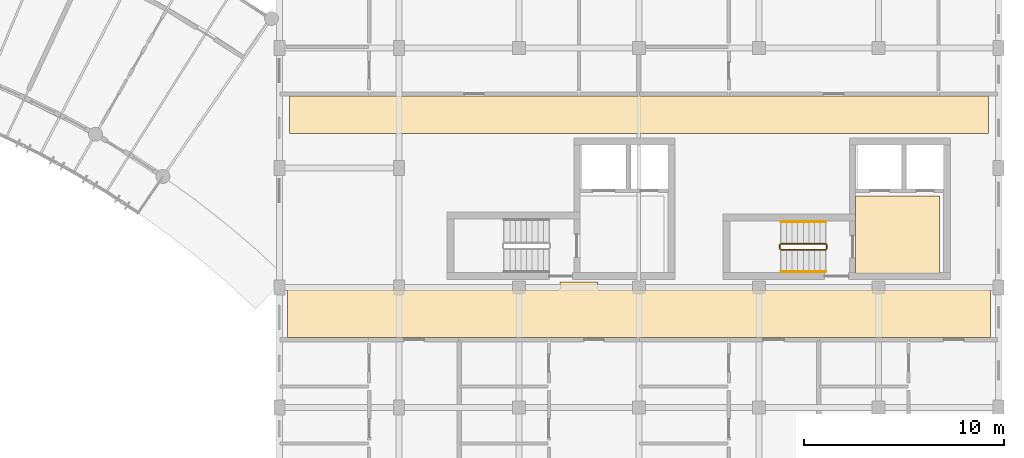
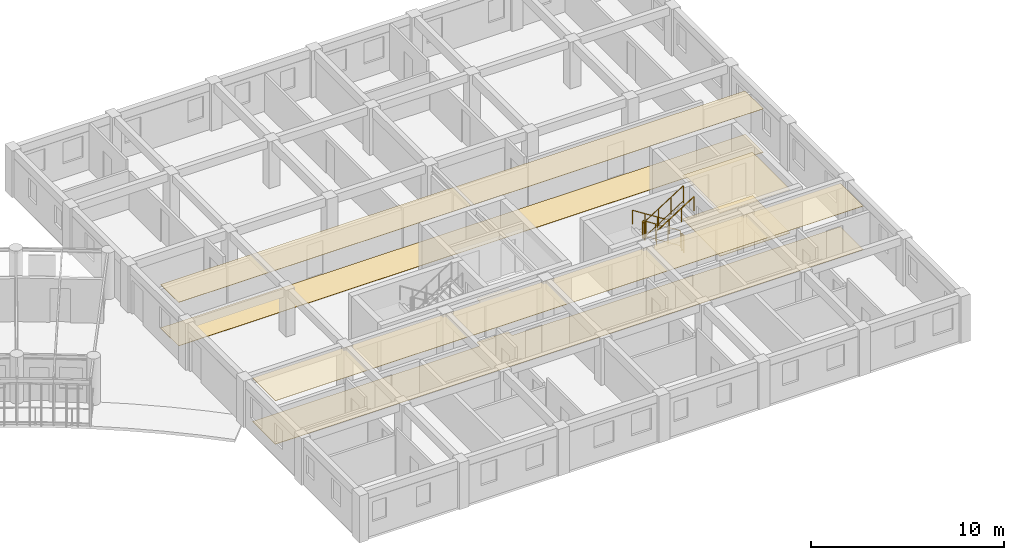
# One storey, part 122 of 123: 6 coverings, 6 railings.
"""IFC4 building model written with IfcOpenShell, lengths in metres."""

from ifc_helpers import new_model, si_unit, direction, frame, origin, origin_2d, place, context, subcontext, project, spatial, polyline, circle, outline, extrude, material, layer, layer_set, type_object, element, save


model = new_model("IFC4")

# Units and contexts
model_context = context("Model", 3, precision=1e-05, world=origin(), true_north=direction((0.0, 1.0)))
body_context = subcontext(model_context, "Body", "Model", "MODEL_VIEW")
ifc_project = project(units=[si_unit("LENGTHUNIT", "METRE"), si_unit("AREAUNIT", "SQUARE_METRE"), si_unit("VOLUMEUNIT", "CUBIC_METRE"), si_unit("PLANEANGLEUNIT", "RADIAN"), si_unit("MASSUNIT", "GRAM", prefix="KILO"), si_unit("POWERUNIT", "WATT"), si_unit("THERMODYNAMICTEMPERATUREUNIT", "KELVIN")], contexts=[model_context])

# Site, building, storey
site_placement = place(None, origin())
site = spatial("IfcSite", under=ifc_project, at=site_placement, CompositionType="ELEMENT")
building_placement = place(site_placement, origin())
building = spatial("IfcBuilding", under=site, at=building_placement, Name="Ruvembo Vaulted Housing Court", CompositionType="ELEMENT")
storey_placement = place(building_placement, frame((0.0, 0.0, 7.699951171875)))
storey = spatial("IfcBuildingStorey", under=building, at=storey_placement, Name="L02", CompositionType="ELEMENT", Elevation=7.699951171875)

# Coverings
ifc_material_1 = material(Name="Perforated Mineral-Fibre Acoustic Tile", Category="gypsum")
ifc_layer_1 = layer(ifc_material_1, 0.02001953125, Name="Perforated Mineral-Fibre Acoustic Tile")
ifc_layer_set_1 = layer_set([ifc_layer_1], Name="Perforated Mineral-Fibre Acoustic Tile")
covering_type_1 = type_object("IfcCoveringType", Name="COV-CEIL-ACOUST", PredefinedType="CEILING", material=ifc_layer_set_1)
covering_1_placement = place(storey_placement, frame((0.0, 0.0, 2.75)))
element("IfcCovering", 1, at=covering_1_placement, inside=storey, type_object=covering_type_1, Name="Protected Core Lobby D2 Ceiling", PredefinedType="CEILING", context=body_context, shape_type="SweptSolid", body=[
    extrude(outline(polyline([(183.050048828125, 88.60009765625), (178.85009765625, 88.60009765625), (178.85009765625, 84.699951171875), (183.050048828125, 84.699951171875), (183.050048828125, 88.60009765625)])), origin(), (0.0, 0.0, 1.0), 0.02001953125),
])
covering_2_placement = place(storey_placement, frame((0.0, 0.0, 2.75)))
element("IfcCovering", 2, at=covering_2_placement, inside=storey, type_object=covering_type_1, Name="Block D L02 Corridor Ceiling", PredefinedType="CEILING", context=body_context, shape_type="SweptSolid", body=[
    extrude(outline(polyline([(185.590087890625, 81.510009765625), (185.590087890625, 83.889892578125), (166.050048828125, 83.889892578125), (166.039306640625, 83.890380859375), (166.028564453125, 83.89208984375), (166.01806640625, 83.894775390625), (166.0078125, 83.8984375), (165.998046875, 83.903076171875), (165.989013671875, 83.908447265625), (165.980224609375, 83.9150390625), (165.97216796875, 83.922119140625), (165.965087890625, 83.93017578125), (165.95849609375, 83.93896484375), (165.952880859375, 83.947998046875), (165.948486328125, 83.9580078125), (165.944580078125, 83.968017578125), (165.942138671875, 83.978515625), (165.9404296875, 83.9892578125), (165.93994140625, 84.0), (165.93994140625, 84.2900390625), (164.06005859375, 84.2900390625), (164.06005859375, 84.0), (164.0595703125, 83.9892578125), (164.057861328125, 83.978515625), (164.055419921875, 83.968017578125), (164.051513671875, 83.9580078125), (164.047119140625, 83.947998046875), (164.04150390625, 83.93896484375), (164.034912109375, 83.93017578125), (164.02783203125, 83.922119140625), (164.019775390625, 83.9150390625), (164.010986328125, 83.908447265625), (164.001953125, 83.903076171875), (163.9921875, 83.8984375), (163.98193359375, 83.894775390625), (163.971435546875, 83.89208984375), (163.960693359375, 83.890380859375), (163.949951171875, 83.889892578125), (150.409912109375, 83.889892578125), (150.409912109375, 81.510009765625), (185.590087890625, 81.510009765625)])), origin(), (0.0, 0.0, 1.0), 0.02001953125),
])
covering_3_placement = place(storey_placement, frame((0.0, 0.0, 2.75)))
element("IfcCovering", 3, at=covering_3_placement, inside=storey, type_object=covering_type_1, Name="Block D L02 North Sub-Corridor Ceiling", PredefinedType="CEILING", context=body_context, shape_type="SweptSolid", body=[
    extrude(outline(polyline([(150.510009765625, 91.7099609375), (185.489990234375, 91.7099609375), (185.489990234375, 93.590087890625), (150.510009765625, 93.590087890625), (150.510009765625, 91.7099609375)])), origin(), (0.0, 0.0, 1.0), 0.02001953125),
])
ifc_material_2 = material(Name="Polished Cement-Aggregate Terrazzo", Category="stone")
ifc_layer_2 = layer(ifc_material_2, 0.02197265625, Name="Polished Cement-Aggregate Terrazzo")
ifc_layer_set_2 = layer_set([ifc_layer_2], Name="Polished Cement-Aggregate Terrazzo")
covering_type_2 = type_object("IfcCoveringType", Name="COV-FLR-CERAMIC", PredefinedType="FLOORING", material=ifc_layer_set_2)
covering_4_placement = place(storey_placement, origin())
element("IfcCovering", 4, at=covering_4_placement, inside=storey, type_object=covering_type_2, Name="Protected Core Lobby D2 Flooring", PredefinedType="FLOORING", context=body_context, shape_type="SweptSolid", body=[
    extrude(outline(polyline([(183.050048828125, 88.60009765625), (178.85009765625, 88.60009765625), (178.85009765625, 84.699951171875), (183.050048828125, 84.699951171875), (183.050048828125, 88.60009765625)])), origin(), (0.0, 0.0, 1.0), 0.02197265625),
])
covering_5_placement = place(storey_placement, origin())
element("IfcCovering", 5, at=covering_5_placement, inside=storey, type_object=covering_type_2, Name="Block D L02 Corridor Flooring", PredefinedType="FLOORING", context=body_context, shape_type="SweptSolid", body=[
    extrude(outline(polyline([(185.590087890625, 81.510009765625), (185.590087890625, 83.889892578125), (166.050048828125, 83.889892578125), (166.039306640625, 83.890380859375), (166.028564453125, 83.89208984375), (166.01806640625, 83.894775390625), (166.0078125, 83.8984375), (165.998046875, 83.903076171875), (165.989013671875, 83.908447265625), (165.980224609375, 83.9150390625), (165.97216796875, 83.922119140625), (165.965087890625, 83.93017578125), (165.95849609375, 83.93896484375), (165.952880859375, 83.947998046875), (165.948486328125, 83.9580078125), (165.944580078125, 83.968017578125), (165.942138671875, 83.978515625), (165.9404296875, 83.9892578125), (165.93994140625, 84.0), (165.93994140625, 84.2900390625), (164.06005859375, 84.2900390625), (164.06005859375, 84.0), (164.0595703125, 83.9892578125), (164.057861328125, 83.978515625), (164.055419921875, 83.968017578125), (164.051513671875, 83.9580078125), (164.047119140625, 83.947998046875), (164.04150390625, 83.93896484375), (164.034912109375, 83.93017578125), (164.02783203125, 83.922119140625), (164.019775390625, 83.9150390625), (164.010986328125, 83.908447265625), (164.001953125, 83.903076171875), (163.9921875, 83.8984375), (163.98193359375, 83.894775390625), (163.971435546875, 83.89208984375), (163.960693359375, 83.890380859375), (163.949951171875, 83.889892578125), (150.409912109375, 83.889892578125), (150.409912109375, 81.510009765625), (185.590087890625, 81.510009765625)])), origin(), (0.0, 0.0, 1.0), 0.02197265625),
])
covering_6_placement = place(storey_placement, origin())
element("IfcCovering", 6, at=covering_6_placement, inside=storey, type_object=covering_type_2, Name="Block D L02 North Sub-Corridor Flooring", PredefinedType="FLOORING", context=body_context, shape_type="SweptSolid", body=[
    extrude(outline(polyline([(150.510009765625, 91.7099609375), (185.489990234375, 91.7099609375), (185.489990234375, 93.590087890625), (150.510009765625, 93.590087890625), (150.510009765625, 91.7099609375)])), origin(), (0.0, 0.0, 1.0), 0.02197265625),
])

# Railings
ifc_material_3 = material(Name="Painted Galvanised Steel S275", Category="steel")
ifc_layer_3 = layer(ifc_material_3, 0.06005859375, Name="Painted Galvanised Steel S275")
ifc_layer_set_3 = layer_set([ifc_layer_3], Name="Painted Galvanised Steel S275")
railing_type_1 = type_object("IfcRailingType", Name="RL-STAIR-GR1100", PredefinedType="GUARDRAIL", material=ifc_layer_set_3)
railing_1_placement = place(storey_placement, frame((177.35009765625, 86.199951171875, 0.177734375)))
element("IfcRailing", 7, at=railing_1_placement, inside=storey, type_object=railing_type_1, Name="L02 ST-D2 stair guard 1", PredefinedType="GUARDRAIL", context=body_context, shape_type="SweptSolid", body=[
    extrude(circle(Radius=0.02392578125, at=origin_2d()), frame((0.0, 0.0, 1.076171875), z_axis=(-0.84418770128, 0.0, 0.536047689118), x_axis=(0.0, -1.0, 0.0)), (0.0, 0.0, 1.0), 2.6533203125),
    extrude(circle(Radius=0.01806640625, at=origin_2d()), frame((0.0, 0.0, 0.1201171875), z_axis=(-0.84418770128, 0.0, 0.536047689118), x_axis=(0.0, -1.0, 0.0)), (0.0, 0.0, 1.0), 2.6533203125),
    extrude(circle(Radius=0.02099609375, at=origin_2d()), origin(), (0.0, 0.0, 1.0), 1.052001953125),
    extrude(circle(Radius=0.02099609375, at=origin_2d()), frame((-0.74658203125, 0.0, 0.47412109375)), (0.0, 0.0, 1.0), 1.052001953125),
    extrude(circle(Radius=0.02099609375, at=origin_2d()), frame((-1.493408203125, 0.0, 0.9482421875)), (0.0, 0.0, 1.0), 1.052001953125),
    extrude(circle(Radius=0.02099609375, at=origin_2d()), frame((-2.239990234375, 0.0, 1.42236328125)), (0.0, 0.0, 1.0), 1.052001953125),
])
railing_2_placement = place(storey_placement, frame((175.06005859375, 86.14990234375, 1.60009765625)))
element("IfcRailing", 8, at=railing_2_placement, inside=storey, type_object=railing_type_1, Name="L02 ST-D2 stair guard 2", PredefinedType="GUARDRAIL", context=body_context, shape_type="SweptSolid", body=[
    extrude(circle(Radius=0.02392578125, at=origin_2d()), frame((0.0, 0.0, 1.076171875), z_axis=(0.0, -1.0, 0.0), x_axis=(1.0, 0.0, 0.0)), (0.0, 0.0, 1.0), 0.199951171875),
    extrude(circle(Radius=0.01806640625, at=origin_2d()), frame((0.0, 0.0, 0.1201171875), z_axis=(0.0, -1.0, 0.0), x_axis=(1.0, 0.0, 0.0)), (0.0, 0.0, 1.0), 0.199951171875),
    extrude(circle(Radius=0.02099609375, at=origin_2d()), origin(), (0.0, 0.0, 1.0), 1.052001953125),
    extrude(circle(Radius=0.02099609375, at=origin_2d()), frame((0.0, -0.199951171875, 0.0)), (0.0, 0.0, 1.0), 1.052001953125),
])
railing_3_placement = place(storey_placement, frame((175.110107421875, 85.89990234375, 1.77783203125)))
element("IfcRailing", 9, at=railing_3_placement, inside=storey, type_object=railing_type_1, Name="L02 ST-D2 stair guard 3", PredefinedType="GUARDRAIL", context=body_context, shape_type="SweptSolid", body=[
    extrude(circle(Radius=0.02392578125, at=origin_2d()), frame((0.0, 0.0, 1.076171875), z_axis=(0.8442293374, 0.0, 0.53598211339), x_axis=(0.0, 1.0, 0.0)), (0.0, 0.0, 1.0), 2.6533203125),
    extrude(circle(Radius=0.01806640625, at=origin_2d()), frame((0.0, 0.0, 0.1201171875), z_axis=(0.8442293374, 0.0, 0.53598211339), x_axis=(0.0, 1.0, 0.0)), (0.0, 0.0, 1.0), 2.6533203125),
    extrude(circle(Radius=0.02099609375, at=origin_2d()), origin(), (0.0, 0.0, 1.0), 1.052001953125),
    extrude(circle(Radius=0.02099609375, at=origin_2d()), frame((0.74658203125, 0.0, 0.47412109375)), (0.0, 0.0, 1.0), 1.052001953125),
    extrude(circle(Radius=0.02099609375, at=origin_2d()), frame((1.493408203125, 0.0, 0.947998046875)), (0.0, 0.0, 1.0), 1.052001953125),
    extrude(circle(Radius=0.02099609375, at=origin_2d()), frame((2.239990234375, 0.0, 1.422119140625)), (0.0, 0.0, 1.0), 1.052001953125),
])
railing_4_placement = place(storey_placement, frame((177.39990234375, 86.14990234375, 0.0)))
element("IfcRailing", 10, at=railing_4_placement, inside=storey, type_object=railing_type_1, Name="L02 ST-D2 stair guard 4", PredefinedType="GUARDRAIL", context=body_context, shape_type="SweptSolid", body=[
    extrude(circle(Radius=0.02392578125, at=origin_2d()), frame((0.0, 0.0, 1.076171875), z_axis=(0.0, -1.0, 0.0), x_axis=(1.0, 0.0, 0.0)), (0.0, 0.0, 1.0), 0.199951171875),
    extrude(circle(Radius=0.01806640625, at=origin_2d()), frame((0.0, 0.0, 0.1201171875), z_axis=(0.0, -1.0, 0.0), x_axis=(1.0, 0.0, 0.0)), (0.0, 0.0, 1.0), 0.199951171875),
    extrude(circle(Radius=0.02099609375, at=origin_2d()), origin(), (0.0, 0.0, 1.0), 1.052001953125),
    extrude(circle(Radius=0.02099609375, at=origin_2d()), frame((0.0, -0.199951171875, 0.0)), (0.0, 0.0, 1.0), 1.052001953125),
])
ifc_material_4 = material(Name="Brushed Stainless Steel 304", Category="steel")
ifc_layer_4 = layer(ifc_material_4, 0.050048828125, Name="Brushed Stainless Steel 304")
ifc_layer_set_4 = layer_set([ifc_layer_4], Name="Brushed Stainless Steel 304")
railing_type_2 = type_object("IfcRailingType", Name="RL-STAIR-HR920", PredefinedType="HANDRAIL", material=ifc_layer_set_4)
railing_5_placement = place(storey_placement, frame((177.35009765625, 87.300048828125, 0.359375)))
element("IfcRailing", 11, at=railing_5_placement, inside=storey, type_object=railing_type_2, Name="L02 ST-D2 stair handrail 1", PredefinedType="HANDRAIL", context=body_context, shape_type="SweptSolid", body=[
    extrude(circle(Radius=0.02392578125, at=origin_2d()), frame((0.0, 0.0, 0.8759765625), z_axis=(-0.8442293374, 0.0, 0.53598211339), x_axis=(0.0, -1.0, 0.0)), (0.0, 0.0, 1.0), 2.6533203125),
    extrude(circle(Radius=0.02099609375, at=origin_2d()), origin(), (0.0, 0.0, 1.0), 0.851806640625),
    extrude(circle(Radius=0.02099609375, at=origin_2d()), frame((-0.74658203125, 0.0, 0.47412109375)), (0.0, 0.0, 1.0), 0.851806640625),
    extrude(circle(Radius=0.02099609375, at=origin_2d()), frame((-1.493408203125, 0.0, 0.947998046875)), (0.0, 0.0, 1.0), 0.851806640625),
    extrude(circle(Radius=0.02099609375, at=origin_2d()), frame((-2.239990234375, 0.0, 1.422119140625)), (0.0, 0.0, 1.0), 0.851806640625),
])
railing_6_placement = place(storey_placement, frame((175.110107421875, 84.800048828125, 1.959228515625)))
element("IfcRailing", 12, at=railing_6_placement, inside=storey, type_object=railing_type_2, Name="L02 ST-D2 stair handrail 2", PredefinedType="HANDRAIL", context=body_context, shape_type="SweptSolid", body=[
    extrude(circle(Radius=0.02392578125, at=origin_2d()), frame((0.0, 0.0, 0.8759765625), z_axis=(0.84418770128, 0.0, 0.536047689118), x_axis=(0.0, 1.0, 0.0)), (0.0, 0.0, 1.0), 2.6533203125),
    extrude(circle(Radius=0.02099609375, at=origin_2d()), origin(), (0.0, 0.0, 1.0), 0.851806640625),
    extrude(circle(Radius=0.02099609375, at=origin_2d()), frame((0.74658203125, 0.0, 0.47412109375)), (0.0, 0.0, 1.0), 0.851806640625),
    extrude(circle(Radius=0.02099609375, at=origin_2d()), frame((1.493408203125, 0.0, 0.9482421875)), (0.0, 0.0, 1.0), 0.851806640625),
    extrude(circle(Radius=0.02099609375, at=origin_2d()), frame((2.239990234375, 0.0, 1.42236328125)), (0.0, 0.0, 1.0), 0.851806640625),
])

save(model, "model.ifc")
